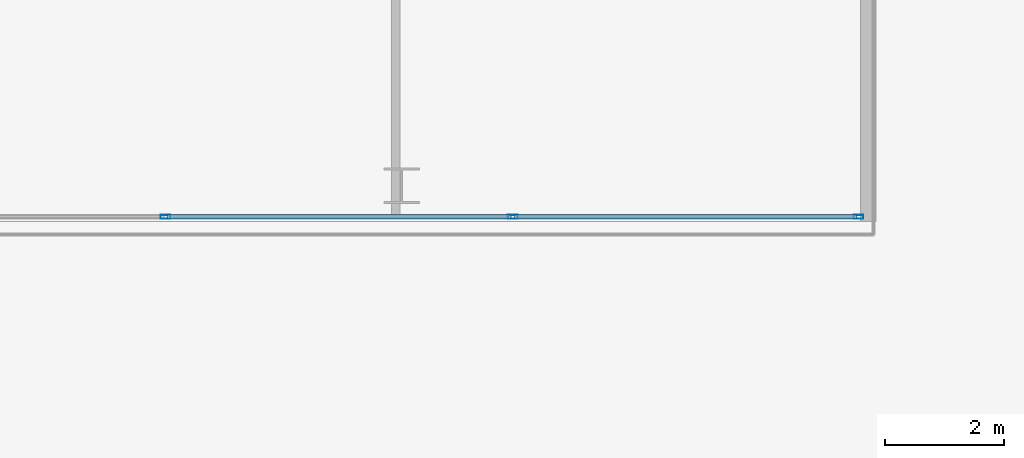
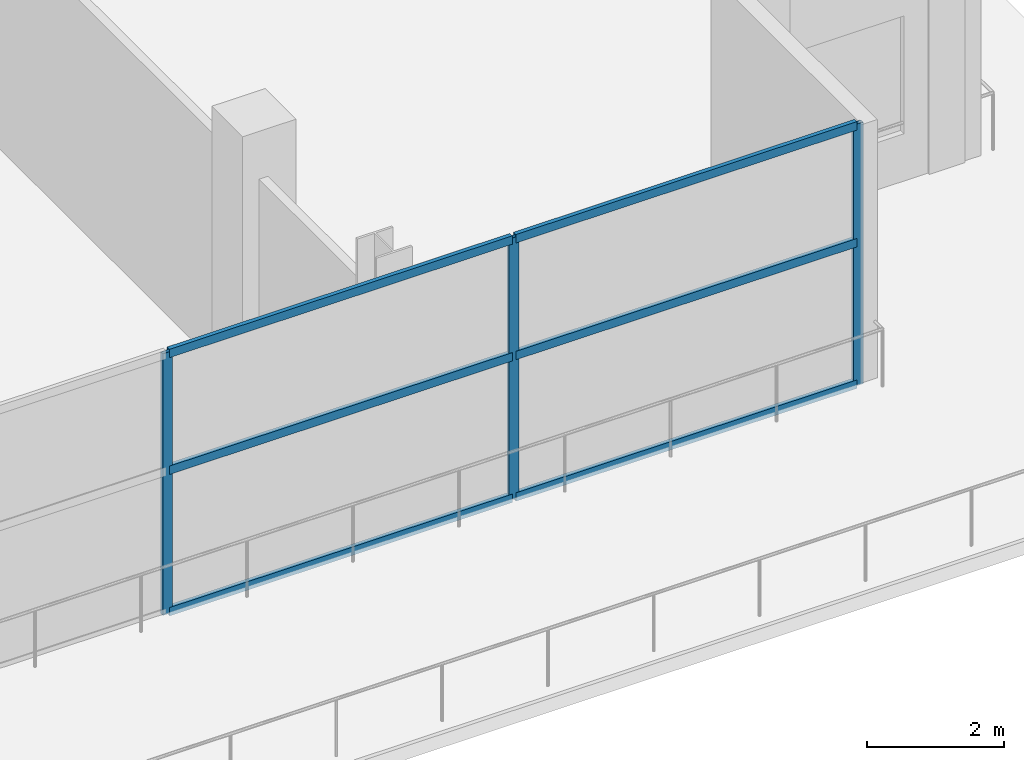
# One storey, part 11 of 31: 9 members, 1 element without a shape of its own.
"""IFC4 building model written with IfcOpenShell, lengths in metres."""

from ifc_helpers import new_model, si_unit, direction, frame, origin, origin_2d, place, context, subcontext, project, spatial, hollow_rectangle, extrude, material, layer, layer_set, material_profile, profile_set, type_object, element, aggregate, save


model = new_model("IFC4")

# Units and contexts
model_context = context("Model", 3, precision=1e-05, world=origin(), true_north=direction((0.0, 1.0)))
body_context = subcontext(model_context, "Body", "Model", "MODEL_VIEW")
ifc_project = project(units=[si_unit("LENGTHUNIT", "METRE"), si_unit("AREAUNIT", "SQUARE_METRE"), si_unit("VOLUMEUNIT", "CUBIC_METRE"), si_unit("PLANEANGLEUNIT", "RADIAN"), si_unit("MASSUNIT", "GRAM", prefix="KILO")], contexts=[model_context])

# Site, building, storey
site_placement = place(None, origin())
site = spatial("IfcSite", under=ifc_project, at=site_placement, CompositionType="ELEMENT")
building_placement = place(site_placement, origin())
building = spatial("IfcBuilding", under=site, at=building_placement, Name="Maruvema Waterfront Hotel and Observation Tower", CompositionType="ELEMENT")
storey_placement = place(building_placement, frame((0.0, 0.0, 122.5)))
storey = spatial("IfcBuildingStorey", under=building, at=storey_placement, Name="L29", CompositionType="ELEMENT", Elevation=122.5)

# Curtain wall, members
ifc_material_1 = material(Name="Anodised bronze aluminium and solar-control low-E IGU", Category="aluminium")
ifc_layer = layer(ifc_material_1, 0.159912109375, Name="Zone 2 Amber Inner Thermal Curtain Wall System CW-03")
ifc_layer_set = layer_set([ifc_layer], Name="Anodised bronze aluminium and solar-control low-E IGU")
curtain_wall_type = type_object("IfcCurtainWallType", Name="Zone 2 Amber Inner Thermal Curtain Wall System CW-03", PredefinedType="USERDEFINED", material=ifc_layer_set)
curtain_wall_placement = place(storey_placement, origin())
curtain_wall = element("IfcCurtainWall", 1, at=curtain_wall_placement, inside=storey, type_object=curtain_wall_type, Name="L29 Curtain Wall CW-L29-SE", ObjectType="UNITISED CURTAIN WALL", PredefinedType="USERDEFINED")
ifc_material_2 = material(Name="Anodised architectural bronze aluminium", Category="aluminium")
ifc_material_profile_1 = material_profile(ifc_material_2, hollow_rectangle(XDim=0.070068359375, YDim=0.14990234375, WallThickness=0.00390625, at=origin_2d()), Name="ALU-T70x150")
ifc_profile_set_1 = profile_set([ifc_material_profile_1], Name="Anodised architectural bronze aluminium")
member_type_1 = type_object("IfcMemberType", Name="Curtain Wall Horizontal Transom ALU-T70x150", PredefinedType="USERDEFINED", material=ifc_profile_set_1)
member_1_placement = place(storey_placement, frame((46.46337890625, 4.679931640625, 0.030029296875), z_axis=(1.0, 0.0, 0.0), x_axis=(0.0, 1.0, 0.0)))
member_1 = element("IfcMember", 2, at=member_1_placement, type_object=member_type_1, Name="CW-03 transom 2.1", ObjectType="TRANSOM", PredefinedType="USERDEFINED", context=body_context, shape_type="SweptSolid", body=[
    extrude(hollow_rectangle(XDim=0.070068359375, YDim=0.14990234375, WallThickness=0.00390625, at=origin_2d()), origin(), (0.0, 0.0, 1.0), 5.773193359375),
])
member_2_placement = place(storey_placement, frame((46.46337890625, 4.679931640625, 2.550048828125), z_axis=(1.0, 0.0, 0.0), x_axis=(0.0, 1.0, 0.0)))
member_2 = element("IfcMember", 3, at=member_2_placement, type_object=member_type_1, Name="CW-03 transom 2.2", ObjectType="TRANSOM", PredefinedType="USERDEFINED", context=body_context, shape_type="SweptSolid", body=[
    extrude(hollow_rectangle(XDim=0.070068359375, YDim=0.14990234375, WallThickness=0.00390625, at=origin_2d()), origin(), (0.0, 0.0, 1.0), 5.773193359375),
])
member_3_placement = place(storey_placement, frame((46.46337890625, 4.679931640625, 4.6298828125), z_axis=(1.0, 0.0, 0.0), x_axis=(0.0, 1.0, 0.0)))
member_3 = element("IfcMember", 4, at=member_3_placement, type_object=member_type_1, Name="CW-03 transom 2.3", ObjectType="TRANSOM", PredefinedType="USERDEFINED", context=body_context, shape_type="SweptSolid", body=[
    extrude(hollow_rectangle(XDim=0.070068359375, YDim=0.14990234375, WallThickness=0.00390625, at=origin_2d()), origin(), (0.0, 0.0, 1.0), 5.773193359375),
])
member_4_placement = place(storey_placement, frame((52.296630859375, 4.679931640625, 0.030029296875), z_axis=(1.0, 0.0, 0.0), x_axis=(0.0, 1.0, 0.0)))
member_4 = element("IfcMember", 5, at=member_4_placement, type_object=member_type_1, Name="CW-03 transom 3.1", ObjectType="TRANSOM", PredefinedType="USERDEFINED", context=body_context, shape_type="SweptSolid", body=[
    extrude(hollow_rectangle(XDim=0.070068359375, YDim=0.14990234375, WallThickness=0.00390625, at=origin_2d()), origin(), (0.0, 0.0, 1.0), 5.743408203125),
])
member_5_placement = place(storey_placement, frame((52.296630859375, 4.679931640625, 2.550048828125), z_axis=(1.0, 0.0, 0.0), x_axis=(0.0, 1.0, 0.0)))
member_5 = element("IfcMember", 6, at=member_5_placement, type_object=member_type_1, Name="CW-03 transom 3.2", ObjectType="TRANSOM", PredefinedType="USERDEFINED", context=body_context, shape_type="SweptSolid", body=[
    extrude(hollow_rectangle(XDim=0.070068359375, YDim=0.14990234375, WallThickness=0.00390625, at=origin_2d()), origin(), (0.0, 0.0, 1.0), 5.743408203125),
])
member_6_placement = place(storey_placement, frame((52.296630859375, 4.679931640625, 4.6298828125), z_axis=(1.0, 0.0, 0.0), x_axis=(0.0, 1.0, 0.0)))
member_6 = element("IfcMember", 7, at=member_6_placement, type_object=member_type_1, Name="CW-03 transom 3.3", ObjectType="TRANSOM", PredefinedType="USERDEFINED", context=body_context, shape_type="SweptSolid", body=[
    extrude(hollow_rectangle(XDim=0.070068359375, YDim=0.14990234375, WallThickness=0.00390625, at=origin_2d()), origin(), (0.0, 0.0, 1.0), 5.743408203125),
])
ifc_material_3 = material(Name="Anodised architectural bronze aluminium", Category="aluminium")
ifc_material_profile_2 = material_profile(ifc_material_3, hollow_rectangle(XDim=0.06494140625, YDim=0.1650390625, WallThickness=0.00390625, at=origin_2d()), Name="ALU-M65x165")
ifc_profile_set_2 = profile_set([ifc_material_profile_2], Name="Anodised architectural bronze aluminium")
member_type_2 = type_object("IfcMemberType", Name="Curtain Wall Primary Mullion ALU-M65x165", PredefinedType="MULLION", material=ifc_profile_set_2)
member_7_placement = place(storey_placement, frame((46.433349609375, 4.679931640625, 0.0), z_axis=(0.0, 0.0, 1.0), x_axis=(0.0, 1.0, 0.0)))
member_7 = element("IfcMember", 8, at=member_7_placement, type_object=member_type_2, Name="CW-03 mullion 2", PredefinedType="MULLION", context=body_context, shape_type="SweptSolid", body=[
    extrude(hollow_rectangle(XDim=0.06494140625, YDim=0.1650390625, WallThickness=0.00390625, at=origin_2d()), origin(), (0.0, 0.0, 1.0), 4.659912109375),
])
member_8_placement = place(storey_placement, frame((52.2666015625, 4.679931640625, 0.0), z_axis=(0.0, 0.0, 1.0), x_axis=(0.0, 1.0, 0.0)))
member_8 = element("IfcMember", 9, at=member_8_placement, type_object=member_type_2, Name="CW-03 mullion 3", PredefinedType="MULLION", context=body_context, shape_type="SweptSolid", body=[
    extrude(hollow_rectangle(XDim=0.06494140625, YDim=0.1650390625, WallThickness=0.00390625, at=origin_2d()), origin(), (0.0, 0.0, 1.0), 4.659912109375),
])
member_9_placement = place(storey_placement, frame((58.070068359375, 4.679931640625, 0.0), z_axis=(0.0, 0.0, 1.0), x_axis=(0.0, 1.0, 0.0)))
member_9 = element("IfcMember", 10, at=member_9_placement, type_object=member_type_2, Name="CW-03 mullion 4", PredefinedType="MULLION", context=body_context, shape_type="SweptSolid", body=[
    extrude(hollow_rectangle(XDim=0.06494140625, YDim=0.1650390625, WallThickness=0.00390625, at=origin_2d()), origin(), (0.0, 0.0, 1.0), 4.659912109375),
])
aggregate(curtain_wall, [member_7, member_8, member_9, member_1, member_2, member_3, member_4, member_5, member_6])

save(model, "model.ifc")
